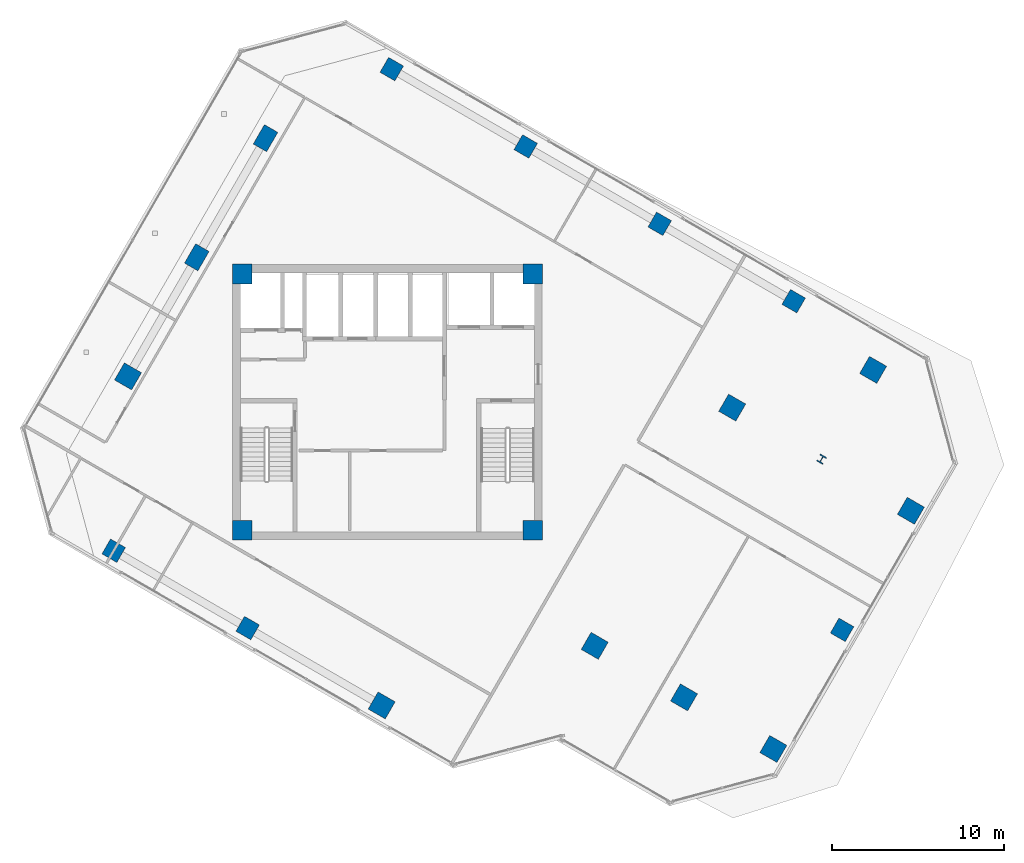
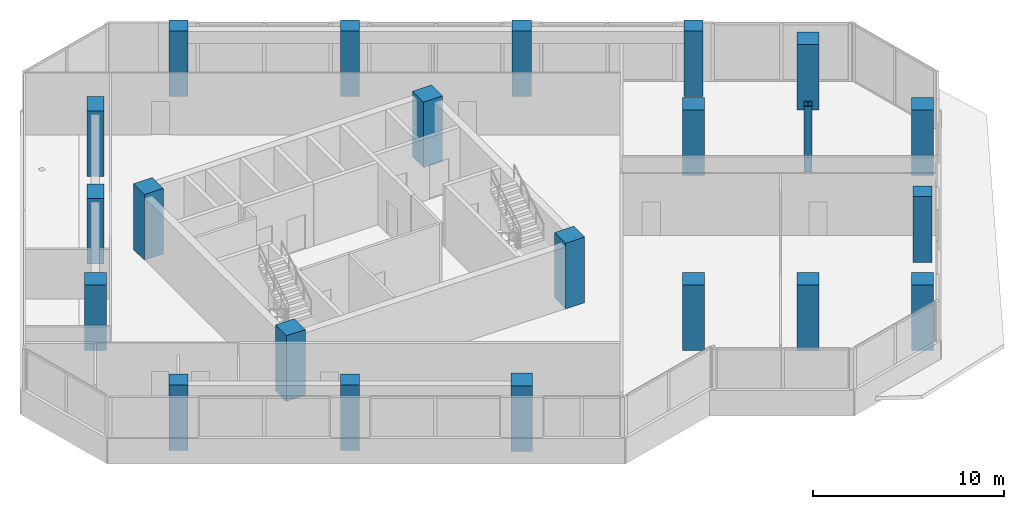
# One storey, part 1 of 21: 22 columns.
"""IFC4 building model written with IfcOpenShell, lengths in metres."""

from ifc_helpers import new_model, si_unit, direction, frame, origin, origin_2d, place, context, subcontext, project, spatial, rectangle, i_section, extrude, source, transform, mapped, material, material_profile, profile_set, type_object, element, save


model = new_model("IFC4")

# Units and contexts
model_context = context("Model", 3, precision=1e-05, world=origin(), true_north=direction((0.0, 1.0)))
body_context = subcontext(model_context, "Body", "Model", "MODEL_VIEW")
ifc_project = project(units=[si_unit("LENGTHUNIT", "METRE"), si_unit("AREAUNIT", "SQUARE_METRE"), si_unit("VOLUMEUNIT", "CUBIC_METRE"), si_unit("PLANEANGLEUNIT", "RADIAN"), si_unit("MASSUNIT", "GRAM", prefix="KILO")], contexts=[model_context])

# Site, building, storey
site_placement = place(None, origin())
site = spatial("IfcSite", under=ifc_project, at=site_placement, CompositionType="ELEMENT")
building_placement = place(site_placement, origin())
building = spatial("IfcBuilding", under=site, at=building_placement, Name="Torre Montelarca", CompositionType="ELEMENT")
storey_placement = place(building_placement, frame((0.0, 0.0, 179.199951171875)))
storey = spatial("IfcBuildingStorey", under=building, at=storey_placement, Name="L40", CompositionType="ELEMENT", Elevation=179.199951171875)

# Columns
ifc_material_1 = material(Name="Concrete C55/67", Category="concrete")
ifc_material_profile_1 = material_profile(ifc_material_1, rectangle(XDim=1.14990234375, YDim=1.14990234375, at=origin_2d()), Name="RC1150X1150", Category="concrete")
ifc_profile_set_1 = profile_set([ifc_material_profile_1], Name="Concrete C55/67")
column_type_1 = type_object("IfcColumnType", Name="COL-RC1150", PredefinedType="COLUMN", material=ifc_profile_set_1)
shared_shape_1 = source(origin(), body_context, "Body", "SweptSolid", [
    extrude(rectangle(XDim=1.14990234375, YDim=1.14990234375, at=origin_2d()), origin(), (0.0, 0.0, 1.0), 4.198486328125),
])
for number, where, z_axis, x_axis, name in (
    (1, (9.550048828125, 24.550048828125, 0.000732421875), (0.0, 0.0, 1.0), (1.0, 0.0, 0.0), "L40 Plumb Core Corner Column 2D"),
    (2, (26.449951171875, 24.550048828125, 0.000732421875), (0.0, 0.0, 1.0), (1.0, 0.0, 0.0), "L40 Plumb Core Corner Column 4D"),
    (3, (9.550048828125, 39.449951171875, 0.000732421875), (0.0, 0.0, 1.0), (1.0, 0.0, 0.0), "L40 Plumb Core Corner Column 2F"),
    (4, (26.449951171875, 39.449951171875, 0.000732421875), (0.0, 0.0, 1.0), (1.0, 0.0, 0.0), "L40 Plumb Core Corner Column 4F"),
    (5, (30.057373046875, 17.82177734375, 0.000732421875), (0.0, 0.0, 1.0), (-0.866025403784, 0.5, 0.0), "L40 Column 5/D"),
    (6, (38.057373046875, 31.67822265625, 0.000732421875), (0.0, 0.0, 1.0), (-0.866025403784, 0.5, 0.0), "L40 Column 5/F"),
    (7, (35.25341796875, 14.82177734375, 0.000732421875), (0.0, 0.0, 1.0), (-0.866025403784, 0.5, 0.0), "L40 Column 6/D"),
    (8, (46.25341796875, 33.87451171875, 0.000732421875), (0.0, 0.0, 1.0), (-0.866025403784, 0.5, 0.0), "L40 Column 6/G"),
):
    element("IfcColumn", number, at=place(storey_placement, frame(where, z_axis=z_axis, x_axis=x_axis)), inside=storey, type_object=column_type_1, Name=name, PredefinedType="COLUMN", context=body_context, shape_type="MappedRepresentation", body=[
        mapped(shared_shape_1, transform((0.0, 0.0, 0.0), scale=1.0)),
    ])
ifc_material_profile_2 = material_profile(ifc_material_1, rectangle(XDim=0.89990234375, YDim=1.300048828125, at=origin_2d()), Name="RC1300X900", Category="concrete")
ifc_profile_set_2 = profile_set([ifc_material_profile_2], Name="Concrete C55/67")
column_type_2 = type_object("IfcColumnType", Name="COL-PIL1300-EXT", PredefinedType="PILASTER", material=ifc_profile_set_2)
shared_shape_2 = source(origin(), body_context, "Body", "SweptSolid", [
    extrude(rectangle(XDim=0.89990234375, YDim=1.300048828125, at=origin_2d()), origin(), (0.0, 0.0, 1.0), 4.198486328125),
])
for number, where, z_axis, x_axis, name in (
    (9, (6.907470703125, 40.425048828125, 0.000732421875), (0.0, 0.0, 1.0), (-0.866025403784, 0.5, 0.0), "L40 Column 1W/E"),
    (10, (10.907470703125, 47.353271484375, 0.000732421875), (0.0, 0.0, 1.0), (-0.866025403784, 0.5, 0.0), "L40 Column 1W/F"),
):
    element("IfcColumn", number, at=place(storey_placement, frame(where, z_axis=z_axis, x_axis=x_axis)), inside=storey, type_object=column_type_2, Name=name, PredefinedType="PILASTER", context=body_context, shape_type="MappedRepresentation", body=[
        mapped(shared_shape_2, transform((0.0, 0.0, 0.0), scale=1.0)),
    ])
ifc_material_profile_3 = material_profile(ifc_material_1, rectangle(XDim=1.14990234375, YDim=1.14990234375, at=origin_2d()), Name="RC1150X1150", Category="concrete")
ifc_profile_set_3 = profile_set([ifc_material_profile_3], Name="Concrete C55/67")
column_type_3 = type_object("IfcColumnType", Name="COL-RC1150-EXT", PredefinedType="COLUMN", material=ifc_profile_set_3)
shared_shape_3 = source(origin(), body_context, "Body", "SweptSolid", [
    extrude(rectangle(XDim=1.14990234375, YDim=1.14990234375, at=origin_2d()), origin(), (0.0, 0.0, 1.0), 4.198486328125),
])
for number, where, z_axis, x_axis, name in (
    (11, (17.6630859375, 14.3544921875, 0.000732421875), (0.0, 0.0, 1.0), (-0.866025403784, 0.5, 0.0), "L40 Column 4/CS"),
    (12, (40.44970703125, 11.82177734375, 0.000732421875), (0.0, 0.0, 1.0), (-0.866025403784, 0.5, 0.0), "L40 Column 7/D"),
    (13, (48.44970703125, 25.67822265625, 0.000732421875), (0.0, 0.0, 1.0), (-0.866025403784, 0.5, 0.0), "L40 Column 7/F"),
    (14, (2.907470703125, 33.496826171875, 0.000732421875), (0.0, 0.0, 1.0), (-0.866025403784, 0.5, 0.0), "L40 Column 1W/D"),
):
    element("IfcColumn", number, at=place(storey_placement, frame(where, z_axis=z_axis, x_axis=x_axis)), inside=storey, type_object=column_type_3, Name=name, PredefinedType="COLUMN", context=body_context, shape_type="MappedRepresentation", body=[
        mapped(shared_shape_3, transform((0.0, 0.0, 0.0), scale=1.0)),
    ])
ifc_material_2 = material(Name="Steel ASTM A992 Grade 50", Category="steel")
ifc_material_profile_4 = material_profile(ifc_material_2, i_section(OverallWidth=0.4208984375, OverallDepth=0.465087890625, WebThickness=0.044921875, FlangeThickness=0.072265625, FilletRadius=0.014892578125, at=origin_2d()), Name="W360X592", Category="steel")
ifc_profile_set_4 = profile_set([ifc_material_profile_4], Name="Steel ASTM A992 Grade 50")
column_type_4 = type_object("IfcColumnType", Name="COL-W360X592", PredefinedType="COLUMN", material=ifc_profile_set_4)
shared_shape_4 = source(origin(), body_context, "Body", "SweptSolid", [
    extrude(i_section(OverallWidth=0.4208984375, OverallDepth=0.465087890625, WebThickness=0.044921875, FlangeThickness=0.072265625, FilletRadius=0.014892578125, at=origin_2d()), origin(), (0.0, 0.0, 1.0), 4.198486328125),
])
column_placement = place(storey_placement, frame((43.25341796875, 28.67822265625, 0.000732421875), z_axis=(0.0, 0.0, 1.0), x_axis=(-0.866025403784, 0.5, 0.0)))
element("IfcColumn", 15, at=column_placement, inside=storey, type_object=column_type_4, Name="L40 Column 6/F", PredefinedType="COLUMN", context=body_context, shape_type="MappedRepresentation", body=[
    mapped(shared_shape_4, transform((0.0, 0.0, 0.0), scale=1.0)),
])
ifc_material_profile_5 = material_profile(ifc_material_1, rectangle(XDim=1.0, YDim=1.0, at=origin_2d()), Name="RC1000X1000", Category="concrete")
ifc_profile_set_5 = profile_set([ifc_material_profile_5], Name="Concrete C55/67")
column_type_5 = type_object("IfcColumnType", Name="COL-RC1000-EXT", PredefinedType="COLUMN", material=ifc_profile_set_5)
shared_shape_5 = source(origin(), body_context, "Body", "SweptSolid", [
    extrude(rectangle(XDim=1.0, YDim=1.0, at=origin_2d()), origin(), (0.0, 0.0, 1.0), 4.198486328125),
])
for number, where, z_axis, x_axis, name in (
    (16, (2.07470703125, 23.3544921875, 0.000732421875), (0.0, 0.0, 1.0), (-0.866025403784, 0.5, 0.0), "L40 Column 2/CS"),
    (17, (18.249755859375, 51.370361328125, 0.000732421875), (0.0, 0.0, 1.0), (-0.866025403784, 0.5, 0.0), "L40 Column 2/GN"),
    (18, (9.868896484375, 18.8544921875, 0.000732421875), (0.0, 0.0, 1.0), (-0.866025403784, 0.5, 0.0), "L40 Column 3/CS"),
    (19, (26.0439453125, 46.870361328125, 0.000732421875), (0.0, 0.0, 1.0), (-0.866025403784, 0.5, 0.0), "L40 Column 3/GN"),
    (20, (33.838134765625, 42.370361328125, 0.000732421875), (0.0, 0.0, 1.0), (-0.866025403784, 0.5, 0.0), "L40 Column 4/GN"),
    (21, (41.63232421875, 37.870361328125, 0.000732421875), (0.0, 0.0, 1.0), (-0.866025403784, 0.5, 0.0), "L40 Column 5/GN"),
    (22, (44.44970703125, 18.75, 0.000732421875), (0.0, 0.0, 1.0), (-0.866025403784, 0.5, 0.0), "L40 Column 7/E"),
):
    element("IfcColumn", number, at=place(storey_placement, frame(where, z_axis=z_axis, x_axis=x_axis)), inside=storey, type_object=column_type_5, Name=name, PredefinedType="COLUMN", context=body_context, shape_type="MappedRepresentation", body=[
        mapped(shared_shape_5, transform((0.0, 0.0, 0.0), scale=1.0)),
    ])

save(model, "model.ifc")
